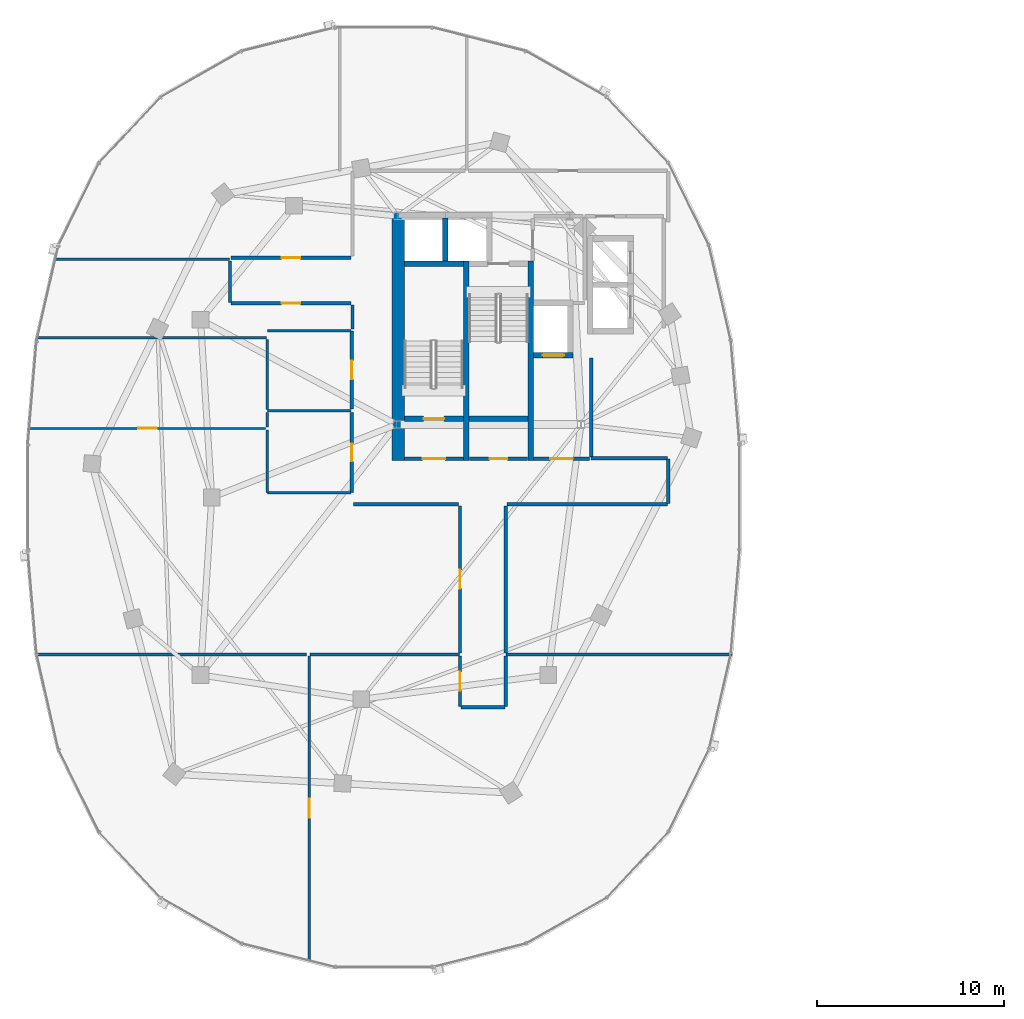
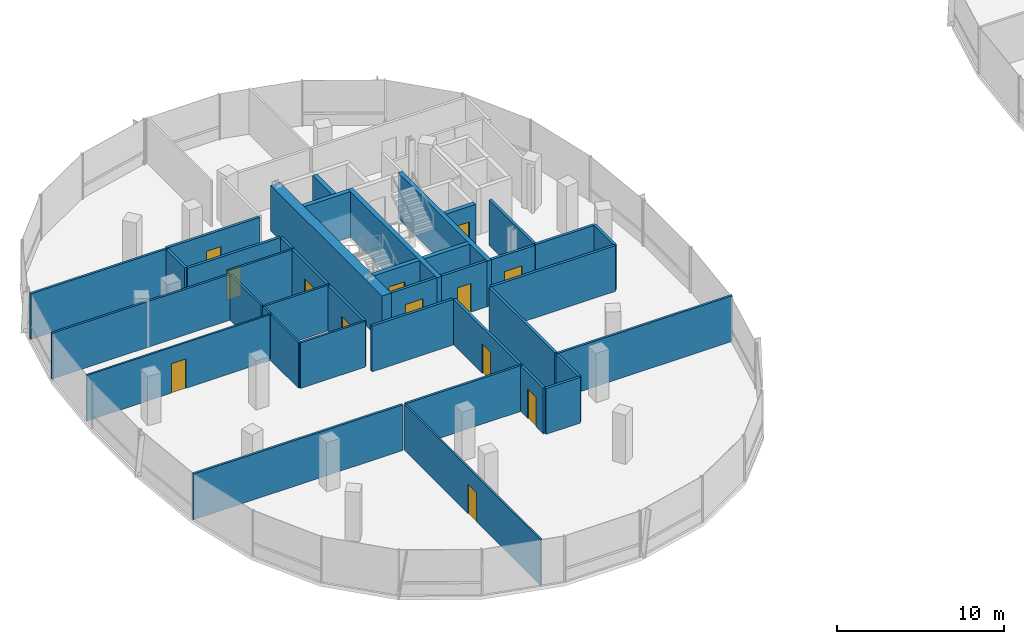
# One storey, part 15 of 25: 40 walls, 13 doors, 13 openings.
"""IFC4 building model written with IfcOpenShell, lengths in metres."""

from ifc_helpers import new_model, si_unit, direction, frame, frame_2d, origin, place, context, subcontext, project, spatial, rectangle, extrude, material, layer, layer_set, type_object, element, fill, save


model = new_model("IFC4")

# Units and contexts
model_context = context("Model", 3, precision=1e-05, world=origin(), true_north=direction((0.0, 1.0)))
body_context = subcontext(model_context, "Body", "Model", "MODEL_VIEW")
ifc_project = project(units=[si_unit("LENGTHUNIT", "METRE"), si_unit("AREAUNIT", "SQUARE_METRE"), si_unit("VOLUMEUNIT", "CUBIC_METRE"), si_unit("PLANEANGLEUNIT", "RADIAN"), si_unit("MASSUNIT", "GRAM", prefix="KILO"), si_unit("THERMODYNAMICTEMPERATUREUNIT", "KELVIN"), si_unit("POWERUNIT", "WATT")], contexts=[model_context])

# Site, building, storey
site_placement = place(None, origin())
site = spatial("IfcSite", under=ifc_project, at=site_placement, CompositionType="ELEMENT")
building_placement = place(site_placement, origin())
building = spatial("IfcBuilding", under=site, at=building_placement, Name="Cundina Bronze Exchange", CompositionType="ELEMENT")
storey_placement = place(building_placement, frame((0.0, 0.0, 209.800048828125)))
storey = spatial("IfcBuildingStorey", under=building, at=storey_placement, Name="L55", CompositionType="ELEMENT", Elevation=209.800048828125)

# Wall
ifc_material_1 = material(Name="Gypsum Fireboard Partition EI120")
ifc_layer_1 = layer(ifc_material_1, 0.179931640625, Name="Gypsum Fireboard Partition EI120")
ifc_layer_set_1 = layer_set([ifc_layer_1], Name="Gypsum Fireboard Partition EI120")
wall_type_1 = type_object("IfcWallType", Name="WL-COR-180", PredefinedType="PARTITIONING", material=ifc_layer_set_1)
wall_1_placement = place(storey_placement, frame((-20.889892578125, 2.14990234375, 0.0), z_axis=(0.0, 0.0, 1.0), x_axis=(0.0, 1.0, 0.0)))
element("IfcWall", 1, at=wall_1_placement, inside=storey, type_object=wall_type_1, Name="L55 W Firefighting Lobby Side Wall", PredefinedType="PARTITIONING", context=body_context, shape_type="SweptSolid", body=[
    extrude(rectangle(XDim=5.300048828125, YDim=0.179931640625, at=frame_2d((2.64990234375, 0.0))), origin(), (0.0, 0.0, 1.0), 3.33984375),
])

# Wall, opening, door
wall_2_placement = place(storey_placement, frame((-23.97998046875, 2.06005859375, 0.0), z_axis=(0.0, 0.0, 1.0), x_axis=(1.0, 0.0, 0.0)))
wall_2 = element("IfcWall", 2, at=wall_2_placement, inside=storey, type_object=wall_type_1, Name="L55 W Firefighting Lobby Exit Wall", PredefinedType="PARTITIONING", context=body_context, shape_type="SweptSolid", body=[
    extrude(rectangle(XDim=3.0, YDim=0.179931640625, at=frame_2d((1.5, 0.0))), origin(), (0.0, 0.0, 1.0), 3.33984375),
])
opening_1_placement = place(wall_2_placement, frame((0.89990234375, 0.0, 0.0)))
opening_1 = element("IfcOpeningElement", 3, at=opening_1_placement, cuts=wall_2, Name="Opening DF-01", PredefinedType="OPENING", context=body_context, shape_type="SweptSolid", body=[
    extrude(rectangle(XDim=1.199951171875, YDim=2.14990234375, at=frame_2d((0.60009765625, 1.074951171875))), frame((0.0, 0.099853515625, 0.0), z_axis=(0.0, -1.0, 0.0), x_axis=(1.0, 0.0, 0.0)), (0.0, 0.0, 1.0), 0.199951171875),
])
ifc_material_2 = material(Name="Steel ASTM A36 Painted", Category="steel")
door_type_1 = type_object("IfcDoorType", Name="DR-FFL-1200", OperationType="NOTDEFINED", PredefinedType="DOOR", material=ifc_material_2)
door_1_placement = place(opening_1_placement, origin())
door_1 = element("IfcDoor", 4, at=door_1_placement, inside=storey, type_object=door_type_1, Name="L55 W Firefighting Lobby Door", OperationType="SINGLE_SWING_RIGHT", OverallHeight=2.14990234375, OverallWidth=1.199951171875, PredefinedType="DOOR", context=body_context, shape_type="SweptSolid", body=[
    extrude(rectangle(XDim=1.199951171875, YDim=2.14990234375, at=frame_2d((0.60009765625, 1.074951171875))), frame((0.0, 0.02490234375, 0.0), z_axis=(0.0, -1.0, 0.0), x_axis=(1.0, 0.0, 0.0)), (0.0, 0.0, 1.0), 0.050048828125),
])
fill(opening_1, door_1)

wall_3_placement = place(storey_placement, frame((-30.89990234375, 2.06005859375, 0.0), z_axis=(0.0, 0.0, 1.0), x_axis=(1.0, 0.0, 0.0)))
wall_3 = element("IfcWall", 5, at=wall_3_placement, inside=storey, type_object=wall_type_1, Name="L55 W Stair Vestibule Exit Wall", PredefinedType="PARTITIONING", context=body_context, shape_type="SweptSolid", body=[
    extrude(rectangle(XDim=3.159912109375, YDim=0.179931640625, at=frame_2d((1.580078125, 0.0))), origin(), (0.0, 0.0, 1.0), 3.33984375),
])
opening_2_placement = place(wall_3_placement, frame((0.97998046875, 0.0, 0.0)))
opening_2 = element("IfcOpeningElement", 6, at=opening_2_placement, cuts=wall_3, Name="Opening DF-01", PredefinedType="OPENING", context=body_context, shape_type="SweptSolid", body=[
    extrude(rectangle(XDim=1.199951171875, YDim=2.14990234375, at=frame_2d((0.60009765625, 1.074951171875))), frame((0.0, 0.099853515625, 0.0), z_axis=(0.0, -1.0, 0.0), x_axis=(1.0, 0.0, 0.0)), (0.0, 0.0, 1.0), 0.199951171875),
])
door_2_placement = place(opening_2_placement, origin())
door_2 = element("IfcDoor", 7, at=door_2_placement, inside=storey, type_object=door_type_1, Name="L55 W Stair Vestibule Door", OperationType="SINGLE_SWING_LEFT", OverallHeight=2.14990234375, OverallWidth=1.199951171875, PredefinedType="DOOR", context=body_context, shape_type="SweptSolid", body=[
    extrude(rectangle(XDim=1.199951171875, YDim=2.14990234375, at=frame_2d((0.60009765625, 1.074951171875))), frame((0.0, 0.02490234375, 0.0), z_axis=(0.0, -1.0, 0.0), x_axis=(1.0, 0.0, 0.0)), (0.0, 0.0, 1.0), 0.050048828125),
])
fill(opening_2, door_2)

wall_4_placement = place(storey_placement, frame((-27.419921875, 2.070068359375, 0.0), z_axis=(0.0, 0.0, 1.0), x_axis=(1.0, 0.0, 0.0)))
wall_4 = element("IfcWall", 8, at=wall_4_placement, inside=storey, type_object=wall_type_1, Name="L55 Interior Partition 007", PredefinedType="PARTITIONING", context=body_context, shape_type="SweptSolid", body=[
    extrude(rectangle(XDim=3.119873046875, YDim=0.179931640625, at=frame_2d((1.56005859375, 0.0))), origin(), (0.0, 0.0, 1.0), 3.33984375),
])
opening_3_placement = place(wall_4_placement, frame((1.0849609375, 0.0, 0.0)))
opening_3 = element("IfcOpeningElement", 9, at=opening_3_placement, cuts=wall_4, Name="Opening DW-01", PredefinedType="OPENING", context=body_context, shape_type="SweptSolid", body=[
    extrude(rectangle(XDim=0.949951171875, YDim=2.10009765625, at=frame_2d((0.47509765625, 1.050048828125))), frame((0.0, 0.099853515625, 0.0), z_axis=(0.0, -1.0, 0.0), x_axis=(1.0, 0.0, 0.0)), (0.0, 0.0, 1.0), 0.199951171875),
])
ifc_material_3 = material(Name="Solid Andean Oak Timber Grade A", Category="wood")
door_type_2 = type_object("IfcDoorType", Name="DR-WC-950", OperationType="NOTDEFINED", PredefinedType="DOOR", material=ifc_material_3)
door_3_placement = place(opening_3_placement, origin())
door_3 = element("IfcDoor", 10, at=door_3_placement, inside=storey, type_object=door_type_2, Name="L55 Interior Door 007", OperationType="SINGLE_SWING_LEFT", OverallHeight=2.10009765625, OverallWidth=0.949951171875, PredefinedType="DOOR", context=body_context, shape_type="SweptSolid", body=[
    extrude(rectangle(XDim=0.949951171875, YDim=2.10009765625, at=frame_2d((0.47509765625, 1.050048828125))), frame((0.0, 0.02490234375, 0.0), z_axis=(0.0, -1.0, 0.0), x_axis=(1.0, 0.0, 0.0)), (0.0, 0.0, 1.0), 0.050048828125),
])
fill(opening_3, door_3)

wall_5_placement = place(storey_placement, frame((-33.719970703125, 0.27001953125, 0.0), z_axis=(0.0, 0.0, 1.0), x_axis=(0.0, 1.0, 0.0)))
wall_5 = element("IfcWall", 11, at=wall_5_placement, inside=storey, type_object=wall_type_1, Name="L55 Interior Partition 015", PredefinedType="PARTITIONING", context=body_context, shape_type="SweptSolid", body=[
    extrude(rectangle(XDim=4.260009765625, YDim=0.179931640625, at=frame_2d((2.1298828125, 0.0))), origin(), (0.0, 0.0, 1.0), 3.33984375),
])
opening_4_placement = place(wall_5_placement, frame((1.655029296875, 0.0, 0.0)))
opening_4 = element("IfcOpeningElement", 12, at=opening_4_placement, cuts=wall_5, Name="Opening DW-01", PredefinedType="OPENING", context=body_context, shape_type="SweptSolid", body=[
    extrude(rectangle(XDim=0.949951171875, YDim=2.10009765625, at=frame_2d((0.47509765625, 1.050048828125))), frame((0.0, 0.099853515625, 0.0), z_axis=(0.0, -1.0, 0.0), x_axis=(1.0, 0.0, 0.0)), (0.0, 0.0, 1.0), 0.199951171875),
])
door_4_placement = place(opening_4_placement, origin())
door_4 = element("IfcDoor", 13, at=door_4_placement, inside=storey, type_object=door_type_2, Name="L55 Interior Door 015", OperationType="SINGLE_SWING_LEFT", OverallHeight=2.10009765625, OverallWidth=0.949951171875, PredefinedType="DOOR", context=body_context, shape_type="SweptSolid", body=[
    extrude(rectangle(XDim=0.949951171875, YDim=2.10009765625, at=frame_2d((0.47509765625, 1.050048828125))), frame((0.0, 0.02490234375, 0.0), z_axis=(0.0, -1.0, 0.0), x_axis=(1.0, 0.0, 0.0)), (0.0, 0.0, 1.0), 0.050048828125),
])
fill(opening_4, door_4)

wall_6_placement = place(storey_placement, frame((-33.719970703125, 4.72998046875, 0.0), z_axis=(0.0, 0.0, 1.0), x_axis=(0.0, 1.0, 0.0)))
wall_6 = element("IfcWall", 14, at=wall_6_placement, inside=storey, type_object=wall_type_1, Name="L55 Interior Partition 016", PredefinedType="PARTITIONING", context=body_context, shape_type="SweptSolid", body=[
    extrude(rectangle(XDim=4.159912109375, YDim=0.179931640625, at=frame_2d((2.080078125, 0.0))), origin(), (0.0, 0.0, 1.0), 3.33984375),
])
opening_5_placement = place(wall_6_placement, frame((1.580078125, 0.0, 0.0)))
opening_5 = element("IfcOpeningElement", 15, at=opening_5_placement, cuts=wall_6, Name="Opening DO-01", PredefinedType="OPENING", context=body_context, shape_type="SweptSolid", body=[
    extrude(rectangle(XDim=1.0, YDim=2.14990234375, at=frame_2d((0.5, 1.074951171875))), frame((0.0, 0.099853515625, 0.0), z_axis=(0.0, -1.0, 0.0), x_axis=(1.0, 0.0, 0.0)), (0.0, 0.0, 1.0), 0.199951171875),
])
door_type_3 = type_object("IfcDoorType", Name="DR-OFF-1000", OperationType="NOTDEFINED", PredefinedType="DOOR", material=ifc_material_3)
door_5_placement = place(opening_5_placement, origin())
door_5 = element("IfcDoor", 16, at=door_5_placement, inside=storey, type_object=door_type_3, Name="L55 Interior Door 016", OperationType="SINGLE_SWING_LEFT", OverallHeight=2.14990234375, OverallWidth=1.0, PredefinedType="DOOR", context=body_context, shape_type="SweptSolid", body=[
    extrude(rectangle(XDim=1.0, YDim=2.14990234375, at=frame_2d((0.5, 1.074951171875))), frame((0.0, 0.02490234375, 0.0), z_axis=(0.0, -1.0, 0.0), x_axis=(1.0, 0.0, 0.0)), (0.0, 0.0, 1.0), 0.050048828125),
])
fill(opening_5, door_5)

wall_7_placement = place(storey_placement, frame((-27.919921875, -8.489990234375, 0.0), z_axis=(0.0, 0.0, 1.0), x_axis=(0.0, -1.0, 0.0)))
wall_7 = element("IfcWall", 17, at=wall_7_placement, inside=storey, type_object=wall_type_1, Name="L55 Interior Partition 024", PredefinedType="PARTITIONING", context=body_context, shape_type="SweptSolid", body=[
    extrude(rectangle(XDim=2.6884765625, YDim=0.179931640625, at=frame_2d((1.34423828125, 0.0))), origin(), (0.0, 0.0, 1.0), 3.33984375),
])
opening_6_placement = place(wall_7_placement, frame((0.84423828125, 0.0, 0.0)))
opening_6 = element("IfcOpeningElement", 18, at=opening_6_placement, cuts=wall_7, Name="Opening DO-01", PredefinedType="OPENING", context=body_context, shape_type="SweptSolid", body=[
    extrude(rectangle(XDim=1.0, YDim=2.14990234375, at=frame_2d((0.5, 1.074951171875))), frame((0.0, 0.099853515625, 0.0), z_axis=(0.0, -1.0, 0.0), x_axis=(1.0, 0.0, 0.0)), (0.0, 0.0, 1.0), 0.199951171875),
])
door_6_placement = place(opening_6_placement, origin())
door_6 = element("IfcDoor", 19, at=door_6_placement, inside=storey, type_object=door_type_3, Name="L55 Interior Door 024", OperationType="SINGLE_SWING_LEFT", OverallHeight=2.14990234375, OverallWidth=1.0, PredefinedType="DOOR", context=body_context, shape_type="SweptSolid", body=[
    extrude(rectangle(XDim=1.0, YDim=2.14990234375, at=frame_2d((0.5, 1.074951171875))), frame((0.0, 0.02490234375, 0.0), z_axis=(0.0, -1.0, 0.0), x_axis=(1.0, 0.0, 0.0)), (0.0, 0.0, 1.0), 0.050048828125),
])
fill(opening_6, door_6)

# Walls
wall_8_placement = place(storey_placement, frame((-25.47998046875, -11.178466796875, 0.0), z_axis=(0.0, 0.0, 1.0), x_axis=(0.0, 1.0, 0.0)))
element("IfcWall", 20, at=wall_8_placement, inside=storey, type_object=wall_type_1, Name="L55 Interior Partition 025", PredefinedType="PARTITIONING", context=body_context, shape_type="SweptSolid", body=[
    extrude(rectangle(XDim=2.6884765625, YDim=0.179931640625, at=frame_2d((1.34423828125, 0.0))), origin(), (0.0, 0.0, 1.0), 3.33984375),
])
wall_9_placement = place(storey_placement, frame((-27.87841796875, -11.219970703125, 0.0), z_axis=(0.0, 0.0, 1.0), x_axis=(1.0, 0.0, 0.0)))
element("IfcWall", 21, at=wall_9_placement, inside=storey, type_object=wall_type_1, Name="L55 Interior Partition 026", PredefinedType="PARTITIONING", context=body_context, shape_type="SweptSolid", body=[
    extrude(rectangle(XDim=2.35693359375, YDim=0.179931640625, at=frame_2d((1.178466796875, 0.0))), origin(), (0.0, 0.0, 1.0), 3.33984375),
])

# Wall, opening, door
wall_10_placement = place(storey_placement, frame((-27.919921875, -0.449951171875, 0.0), z_axis=(0.0, 0.0, 1.0), x_axis=(0.0, -1.0, 0.0)))
wall_10 = element("IfcWall", 22, at=wall_10_placement, inside=storey, type_object=wall_type_1, Name="L55 Interior Partition 027", PredefinedType="PARTITIONING", context=body_context, shape_type="SweptSolid", body=[
    extrude(rectangle(XDim=7.860107421875, YDim=0.179931640625, at=frame_2d((3.93017578125, 0.0))), origin(), (0.0, 0.0, 1.0), 3.33984375),
])
opening_7_placement = place(wall_10_placement, frame((3.429931640625, 0.0, 0.0)))
opening_7 = element("IfcOpeningElement", 23, at=opening_7_placement, cuts=wall_10, Name="Opening DO-01", PredefinedType="OPENING", context=body_context, shape_type="SweptSolid", body=[
    extrude(rectangle(XDim=1.0, YDim=2.14990234375, at=frame_2d((0.5, 1.074951171875))), frame((0.0, 0.099853515625, 0.0), z_axis=(0.0, -1.0, 0.0), x_axis=(1.0, 0.0, 0.0)), (0.0, 0.0, 1.0), 0.199951171875),
])
door_7_placement = place(opening_7_placement, origin())
door_7 = element("IfcDoor", 24, at=door_7_placement, inside=storey, type_object=door_type_3, Name="L55 Interior Door 027", OperationType="SINGLE_SWING_RIGHT", OverallHeight=2.14990234375, OverallWidth=1.0, PredefinedType="DOOR", context=body_context, shape_type="SweptSolid", body=[
    extrude(rectangle(XDim=1.0, YDim=2.14990234375, at=frame_2d((0.5, 1.074951171875))), frame((0.0, 0.02490234375, 0.0), z_axis=(0.0, -1.0, 0.0), x_axis=(1.0, 0.0, 0.0)), (0.0, 0.0, 1.0), 0.050048828125),
])
fill(opening_7, door_7)

# Walls
wall_11_placement = place(storey_placement, frame((-33.62841796875, -0.3701171875, 0.0), z_axis=(0.0, 0.0, 1.0), x_axis=(1.0, 0.0, 0.0)))
element("IfcWall", 25, at=wall_11_placement, inside=storey, type_object=wall_type_1, Name="L55 Interior Partition 028", PredefinedType="PARTITIONING", context=body_context, shape_type="SweptSolid", body=[
    extrude(rectangle(XDim=5.62841796875, YDim=0.179931640625, at=frame_2d((2.814208984375, 0.0))), origin(), (0.0, 0.0, 1.0), 3.33984375),
])
wall_12_placement = place(storey_placement, frame((-25.39990234375, -0.3701171875, 0.0), z_axis=(0.0, 0.0, 1.0), x_axis=(1.0, 0.0, 0.0)))
element("IfcWall", 26, at=wall_12_placement, inside=storey, type_object=wall_type_1, Name="L55 Interior Partition 030", PredefinedType="PARTITIONING", context=body_context, shape_type="SweptSolid", body=[
    extrude(rectangle(XDim=8.578369140625, YDim=0.179931640625, at=frame_2d((4.2890625, 0.0))), origin(), (0.0, 0.0, 1.0), 3.33984375),
])
wall_13_placement = place(storey_placement, frame((-25.47998046875, -8.31005859375, 0.0), z_axis=(0.0, 0.0, 1.0), x_axis=(0.0, 1.0, 0.0)))
element("IfcWall", 27, at=wall_13_placement, inside=storey, type_object=wall_type_1, Name="L55 Interior Partition 031", PredefinedType="PARTITIONING", context=body_context, shape_type="SweptSolid", body=[
    extrude(rectangle(XDim=7.860107421875, YDim=0.179931640625, at=frame_2d((3.93017578125, 0.0))), origin(), (0.0, 0.0, 1.0), 3.33984375),
])
wall_14_placement = place(storey_placement, frame((-16.821533203125, 2.10009765625, 0.0), z_axis=(0.0, 0.0, 1.0), x_axis=(-1.0, 0.0, 0.0)))
element("IfcWall", 28, at=wall_14_placement, inside=storey, type_object=wall_type_1, Name="L55 Interior Partition 032", PredefinedType="PARTITIONING", context=body_context, shape_type="SweptSolid", body=[
    extrude(rectangle(XDim=4.098388671875, YDim=0.179931640625, at=frame_2d((2.04931640625, 0.0))), origin(), (0.0, 0.0, 1.0), 3.33984375),
])
wall_15_placement = place(storey_placement, frame((-16.780029296875, -0.32861328125, 0.0), z_axis=(0.0, 0.0, 1.0), x_axis=(0.0, 1.0, 0.0)))
element("IfcWall", 29, at=wall_15_placement, inside=storey, type_object=wall_type_1, Name="L55 Interior Partition 034", PredefinedType="PARTITIONING", context=body_context, shape_type="SweptSolid", body=[
    extrude(rectangle(XDim=2.38720703125, YDim=0.179931640625, at=frame_2d((1.193603515625, 0.0))), origin(), (0.0, 0.0, 1.0), 3.33984375),
])

# Wall, opening, door
wall_16_placement = place(storey_placement, frame((-40.178466796875, 10.3798828125, 0.0), z_axis=(0.0, 0.0, 1.0), x_axis=(1.0, 0.0, 0.0)))
wall_16 = element("IfcWall", 30, at=wall_16_placement, inside=storey, type_object=wall_type_1, Name="L55 Interior Partition 035", PredefinedType="PARTITIONING", context=body_context, shape_type="SweptSolid", body=[
    extrude(rectangle(XDim=6.428466796875, YDim=0.179931640625, at=frame_2d((3.21435546875, 0.0))), origin(), (0.0, 0.0, 1.0), 3.33984375),
])
opening_8_placement = place(wall_16_placement, frame((2.714111328125, 0.0, 0.0)))
opening_8 = element("IfcOpeningElement", 31, at=opening_8_placement, cuts=wall_16, Name="Opening DO-01", PredefinedType="OPENING", context=body_context, shape_type="SweptSolid", body=[
    extrude(rectangle(XDim=1.0, YDim=2.14990234375, at=frame_2d((0.5, 1.074951171875))), frame((0.0, 0.099853515625, 0.0), z_axis=(0.0, -1.0, 0.0), x_axis=(1.0, 0.0, 0.0)), (0.0, 0.0, 1.0), 0.199951171875),
])
door_8_placement = place(opening_8_placement, origin())
door_8 = element("IfcDoor", 32, at=door_8_placement, inside=storey, type_object=door_type_3, Name="L55 Interior Door 035", OperationType="SINGLE_SWING_RIGHT", OverallHeight=2.14990234375, OverallWidth=1.0, PredefinedType="DOOR", context=body_context, shape_type="SweptSolid", body=[
    extrude(rectangle(XDim=1.0, YDim=2.14990234375, at=frame_2d((0.5, 1.074951171875))), frame((0.0, 0.02490234375, 0.0), z_axis=(0.0, -1.0, 0.0), x_axis=(1.0, 0.0, 0.0)), (0.0, 0.0, 1.0), 0.050048828125),
])
fill(opening_8, door_8)

# Walls
wall_17_placement = place(storey_placement, frame((-40.219970703125, 12.64990234375, 0.0), z_axis=(0.0, 0.0, 1.0), x_axis=(0.0, -1.0, 0.0)))
element("IfcWall", 33, at=wall_17_placement, inside=storey, type_object=wall_type_1, Name="L55 Interior Partition 036", PredefinedType="PARTITIONING", context=body_context, shape_type="SweptSolid", body=[
    extrude(rectangle(XDim=2.228515625, YDim=0.179931640625, at=frame_2d((1.1142578125, 0.0))), origin(), (0.0, 0.0, 1.0), 3.33984375),
])
wall_18_placement = place(storey_placement, frame((-33.669921875, 10.300048828125, 0.0), z_axis=(0.0, 0.0, 1.0), x_axis=(0.0, -1.0, 0.0)))
element("IfcWall", 34, at=wall_18_placement, inside=storey, type_object=wall_type_1, Name="L55 Interior Partition 037", PredefinedType="PARTITIONING", context=body_context, shape_type="SweptSolid", body=[
    extrude(rectangle(XDim=1.298583984375, YDim=0.179931640625, at=frame_2d((0.6494140625, 0.0))), origin(), (0.0, 0.0, 1.0), 3.33984375),
])

# Wall, opening, door
wall_19_placement = place(storey_placement, frame((-33.75, 12.820068359375, 0.0), z_axis=(0.0, 0.0, 1.0), x_axis=(-1.0, 0.0, 0.0)))
wall_19 = element("IfcWall", 35, at=wall_19_placement, inside=storey, type_object=wall_type_1, Name="L55 Interior Partition 038", PredefinedType="PARTITIONING", context=body_context, shape_type="SweptSolid", body=[
    extrude(rectangle(XDim=6.428466796875, YDim=0.179931640625, at=frame_2d((3.21435546875, 0.0))), origin(), (0.0, 0.0, 1.0), 3.33984375),
])
opening_9_placement = place(wall_19_placement, frame((2.714111328125, 0.0, 0.0)))
opening_9 = element("IfcOpeningElement", 36, at=opening_9_placement, cuts=wall_19, Name="Opening DO-01", PredefinedType="OPENING", context=body_context, shape_type="SweptSolid", body=[
    extrude(rectangle(XDim=1.0, YDim=2.14990234375, at=frame_2d((0.5, 1.074951171875))), frame((0.0, 0.099853515625, 0.0), z_axis=(0.0, -1.0, 0.0), x_axis=(1.0, 0.0, 0.0)), (0.0, 0.0, 1.0), 0.199951171875),
])
door_9_placement = place(opening_9_placement, origin())
door_9 = element("IfcDoor", 37, at=door_9_placement, inside=storey, type_object=door_type_3, Name="L55 Interior Door 038", OperationType="SINGLE_SWING_LEFT", OverallHeight=2.14990234375, OverallWidth=1.0, PredefinedType="DOOR", context=body_context, shape_type="SweptSolid", body=[
    extrude(rectangle(XDim=1.0, YDim=2.14990234375, at=frame_2d((0.5, 1.074951171875))), frame((0.0, 0.02490234375, 0.0), z_axis=(0.0, -1.0, 0.0), x_axis=(1.0, 0.0, 0.0)), (0.0, 0.0, 1.0), 0.050048828125),
])
fill(opening_9, door_9)

# Wall
ifc_material_4 = material(Name="Concrete C50/60", Category="concrete")
ifc_layer_2 = layer(ifc_material_4, 0.64990234375, Name="Concrete C50/60", Category="concrete")
ifc_layer_set_2 = layer_set([ifc_layer_2], Name="Concrete C50/60")
wall_type_2 = type_object("IfcWallType", Name="WL-CORE-650", PredefinedType="SHEAR", material=ifc_layer_set_2)
wall_20_placement = place(storey_placement, frame((-31.22509765625, 1.969970703125, 0.0), z_axis=(0.0, 0.0, 1.0), x_axis=(0.0, 1.0, 0.0)))
element("IfcWall", 38, at=wall_20_placement, inside=storey, type_object=wall_type_2, Name="L55 W Primary Core Shear Spine Wall", PredefinedType="SHEAR", context=body_context, shape_type="SweptSolid", body=[
    extrude(rectangle(XDim=13.330078125, YDim=0.64990234375, at=frame_2d((6.6650390625, 0.0))), origin(), (0.0, 0.0, 1.0), 3.33984375),
])

# Wall, opening, door
ifc_material_5 = material(Name="Gypsum Acoustic Partition EI60")
ifc_layer_3 = layer(ifc_material_5, 0.125, Name="Gypsum Acoustic Partition EI60")
ifc_layer_set_3 = layer_set([ifc_layer_3], Name="Gypsum Acoustic Partition EI60")
wall_type_3 = type_object("IfcWallType", Name="WL-OFF-125", PredefinedType="PARTITIONING", material=ifc_layer_set_3)
wall_21_placement = place(storey_placement, frame((-35.989990234375, -8.489990234375, 0.0), z_axis=(0.0, 0.0, 1.0), x_axis=(0.0, -1.0, 0.0)))
wall_21 = element("IfcWall", 39, at=wall_21_placement, inside=storey, type_object=wall_type_3, Name="L55 Interior Partition 041", PredefinedType="PARTITIONING", context=body_context, shape_type="SweptSolid", body=[
    extrude(rectangle(XDim=16.274658203125, YDim=0.125, at=frame_2d((8.13720703125, 0.0))), origin(), (0.0, 0.0, 1.0), 3.33984375),
])
opening_10_placement = place(wall_21_placement, frame((7.63720703125, 0.0, 0.0)))
opening_10 = element("IfcOpeningElement", 40, at=opening_10_placement, cuts=wall_21, Name="Opening DO-01", PredefinedType="OPENING", context=body_context, shape_type="SweptSolid", body=[
    extrude(rectangle(XDim=1.0, YDim=2.14990234375, at=frame_2d((0.5, 1.074951171875))), frame((0.0, 0.072509765625, 0.0), z_axis=(0.0, -1.0, 0.0), x_axis=(1.0, 0.0, 0.0)), (0.0, 0.0, 1.0), 0.14501953125),
])
door_10_placement = place(opening_10_placement, origin())
door_10 = element("IfcDoor", 41, at=door_10_placement, inside=storey, type_object=door_type_3, Name="L55 Interior Door 041", OperationType="SINGLE_SWING_LEFT", OverallHeight=2.14990234375, OverallWidth=1.0, PredefinedType="DOOR", context=body_context, shape_type="SweptSolid", body=[
    extrude(rectangle(XDim=1.0, YDim=2.14990234375, at=frame_2d((0.5, 1.074951171875))), frame((0.0, 0.02490234375, 0.0), z_axis=(0.0, -1.0, 0.0), x_axis=(1.0, 0.0, 0.0)), (0.0, 0.0, 1.0), 0.050048828125),
])
fill(opening_10, door_10)

wall_22_placement = place(storey_placement, frame((-38.320068359375, 3.68994140625, 0.0), z_axis=(0.0, 0.0, 1.0), x_axis=(-1.0, 0.0, 0.0)))
wall_22 = element("IfcWall", 42, at=wall_22_placement, inside=storey, type_object=wall_type_3, Name="L55 Interior Partition 042", PredefinedType="PARTITIONING", context=body_context, shape_type="SweptSolid", body=[
    extrude(rectangle(XDim=12.6474609375, YDim=0.125, at=frame_2d((6.32373046875, 0.0))), origin(), (0.0, 0.0, 1.0), 3.33984375),
])
opening_11_placement = place(wall_22_placement, frame((5.82373046875, 0.0, 0.0)))
opening_11 = element("IfcOpeningElement", 43, at=opening_11_placement, cuts=wall_22, Name="Opening DO-01", PredefinedType="OPENING", context=body_context, shape_type="SweptSolid", body=[
    extrude(rectangle(XDim=1.0, YDim=2.14990234375, at=frame_2d((0.5, 1.074951171875))), frame((0.0, 0.072509765625, 0.0), z_axis=(0.0, -1.0, 0.0), x_axis=(1.0, 0.0, 0.0)), (0.0, 0.0, 1.0), 0.14501953125),
])
door_11_placement = place(opening_11_placement, origin())
door_11 = element("IfcDoor", 44, at=door_11_placement, inside=storey, type_object=door_type_3, Name="L55 Interior Door 042", OperationType="SINGLE_SWING_RIGHT", OverallHeight=2.14990234375, OverallWidth=1.0, PredefinedType="DOOR", context=body_context, shape_type="SweptSolid", body=[
    extrude(rectangle(XDim=1.0, YDim=2.14990234375, at=frame_2d((0.5, 1.074951171875))), frame((0.0, 0.02490234375, 0.0), z_axis=(0.0, -1.0, 0.0), x_axis=(1.0, 0.0, 0.0)), (0.0, 0.0, 1.0), 0.050048828125),
])
fill(opening_11, door_11)

# Walls
ifc_layer_4 = layer(ifc_material_4, 0.300048828125, Name="Concrete C50/60", Category="concrete")
ifc_layer_set_4 = layer_set([ifc_layer_4], Name="Concrete C50/60")
wall_type_4 = type_object("IfcWallType", Name="WL-SHFT-300", PredefinedType="SHEAR", material=ifc_layer_set_4)
for number, where, z_axis, x_axis, name in (
    (45, (-27.590087890625, 1.969970703125, 0.0), (0.0, 0.0, 1.0), (0.0, 1.0, 0.0), "L55 W Stair Shaft Dividing Shear Wall"),
    (46, (-24.1298828125, 1.969970703125, 0.0), (0.0, 0.0, 1.0), (0.0, 1.0, 0.0), "L55 W Stair 2 East Shear Wall"),
):
    element("IfcWall", number, at=place(storey_placement, frame(where, z_axis=z_axis, x_axis=x_axis)), inside=storey, type_object=wall_type_4, Name=name, PredefinedType="SHEAR", context=body_context, shape_type="SweptSolid", body=[
        extrude(rectangle(XDim=10.679931640625, YDim=0.300048828125, at=frame_2d((5.33984375, 0.0))), origin(), (0.0, 0.0, 1.0), 3.33984375),
    ])

# Wall, opening, door
wall_23_placement = place(storey_placement, frame((-30.89990234375, 4.199951171875, 0.0), z_axis=(0.0, 0.0, 1.0), x_axis=(1.0, 0.0, 0.0)))
wall_23 = element("IfcWall", 47, at=wall_23_placement, inside=storey, type_object=wall_type_4, Name="L55 Stair W1 Landing Wall", PredefinedType="SHEAR", context=body_context, shape_type="SweptSolid", body=[
    extrude(rectangle(XDim=3.159912109375, YDim=0.300048828125, at=frame_2d((1.580078125, 0.0))), origin(), (0.0, 0.0, 1.0), 3.33984375),
])
opening_12_placement = place(wall_23_placement, frame((1.030029296875, 0.0, 0.0)))
opening_12 = element("IfcOpeningElement", 48, at=opening_12_placement, cuts=wall_23, Name="Opening DS-01", PredefinedType="OPENING", context=body_context, shape_type="SweptSolid", body=[
    extrude(rectangle(XDim=1.10009765625, YDim=2.14990234375, at=frame_2d((0.550048828125, 1.074951171875))), frame((0.0, 0.159912109375, 0.0), z_axis=(0.0, -1.0, 0.0), x_axis=(1.0, 0.0, 0.0)), (0.0, 0.0, 1.0), 0.320068359375),
])
door_type_4 = type_object("IfcDoorType", Name="DR-STR-1100", OperationType="NOTDEFINED", PredefinedType="DOOR", material=ifc_material_2)
door_12_placement = place(opening_12_placement, origin())
door_12 = element("IfcDoor", 49, at=door_12_placement, inside=storey, type_object=door_type_4, Name="L55 Smokeproof Stair W1 Door", OperationType="SINGLE_SWING_RIGHT", OverallHeight=2.14990234375, OverallWidth=1.10009765625, PredefinedType="DOOR", context=body_context, shape_type="SweptSolid", body=[
    extrude(rectangle(XDim=1.10009765625, YDim=2.14990234375, at=frame_2d((0.550048828125, 1.074951171875))), frame((0.0, 0.02490234375, 0.0), z_axis=(0.0, -1.0, 0.0), x_axis=(1.0, 0.0, 0.0)), (0.0, 0.0, 1.0), 0.050048828125),
])
fill(opening_12, door_12)

# Walls
for number, where, z_axis, x_axis, name in (
    (50, (-30.89990234375, 12.5, 0.0), (0.0, 0.0, 1.0), (1.0, 0.0, 0.0), "L55 Stair W1 Far Shaft Wall"),
    (51, (-27.43994140625, 4.199951171875, 0.0), (0.0, 0.0, 1.0), (1.0, 0.0, 0.0), "L55 Stair W2 Far Shaft Wall"),
):
    element("IfcWall", number, at=place(storey_placement, frame(where, z_axis=z_axis, x_axis=x_axis)), inside=storey, type_object=wall_type_4, Name=name, PredefinedType="SHEAR", context=body_context, shape_type="SweptSolid", body=[
        extrude(rectangle(XDim=3.159912109375, YDim=0.300048828125, at=frame_2d((1.580078125, 0.0))), origin(), (0.0, 0.0, 1.0), 3.33984375),
    ])

# Wall, opening, door
wall_24_placement = place(storey_placement, frame((-23.97998046875, 7.60009765625, 0.0), z_axis=(0.0, 0.0, 1.0), x_axis=(1.0, 0.0, 0.0)))
wall_24 = element("IfcWall", 52, at=wall_24_placement, inside=storey, type_object=wall_type_4, Name="L55 FFL-W Hoistway Front Wall", PredefinedType="SHEAR", context=body_context, shape_type="SweptSolid", body=[
    extrude(rectangle(XDim=2.10009765625, YDim=0.300048828125, at=frame_2d((1.050048828125, 0.0))), origin(), (0.0, 0.0, 1.0), 3.33984375),
])
opening_13_placement = place(wall_24_placement, frame((0.47509765625, 0.0, 0.0)))
opening_13 = element("IfcOpeningElement", 53, at=opening_13_placement, cuts=wall_24, Name="Opening LD-01", PredefinedType="OPENING", context=body_context, shape_type="SweptSolid", body=[
    extrude(rectangle(XDim=1.14990234375, YDim=2.199951171875, at=frame_2d((0.574951171875, 1.10009765625))), frame((0.0, 0.159912109375, 0.0), z_axis=(0.0, -1.0, 0.0), x_axis=(1.0, 0.0, 0.0)), (0.0, 0.0, 1.0), 0.320068359375),
])
door_type_5 = type_object("IfcDoorType", Name="DR-LND-1150", OperationType="NOTDEFINED", PredefinedType="TRAPDOOR", material=ifc_material_2)
door_13_placement = place(opening_13_placement, origin())
door_13 = element("IfcDoor", 54, at=door_13_placement, inside=storey, type_object=door_type_5, Name="L55 FFL-W Sliding Landing Door", OperationType="SLIDING_TO_LEFT", OverallHeight=2.199951171875, OverallWidth=1.14990234375, PredefinedType="TRAPDOOR", context=body_context, shape_type="SweptSolid", body=[
    extrude(rectangle(XDim=1.14990234375, YDim=2.199951171875, at=frame_2d((0.574951171875, 1.10009765625))), frame((0.0, 0.02490234375, 0.0), z_axis=(0.0, -1.0, 0.0), x_axis=(1.0, 0.0, 0.0)), (0.0, 0.0, 1.0), 0.050048828125),
])
fill(opening_13, door_13)

# Walls
wall_25_placement = place(storey_placement, frame((-28.699951171875, 12.64990234375, 0.0), z_axis=(0.0, 0.0, 1.0), x_axis=(0.0, 1.0, 0.0)))
element("IfcWall", 55, at=wall_25_placement, inside=storey, type_object=wall_type_4, Name="L55 PH-W1 Hoistway Divider Wall", PredefinedType="SHEAR", context=body_context, shape_type="SweptSolid", body=[
    extrude(rectangle(XDim=2.300048828125, YDim=0.300048828125, at=frame_2d((1.14990234375, 0.0))), origin(), (0.0, 0.0, 1.0), 3.33984375),
])
ifc_layer_5 = layer(ifc_material_5, 0.14990234375, Name="Gypsum Acoustic Partition EI60")
ifc_layer_set_5 = layer_set([ifc_layer_5], Name="Gypsum Acoustic Partition EI60")
wall_type_5 = type_object("IfcWallType", Name="WL-TEN-150", PredefinedType="PARTITIONING", material=ifc_layer_set_5)
wall_26_placement = place(storey_placement, frame((-50.629638671875, -8.39990234375, 0.0), z_axis=(0.0, 0.0, 1.0), x_axis=(1.0, 0.0, 0.0)))
element("IfcWall", 56, at=wall_26_placement, inside=storey, type_object=wall_type_5, Name="L55 Interior Partition 017", PredefinedType="PARTITIONING", context=body_context, shape_type="SweptSolid", body=[
    extrude(rectangle(XDim=14.504638671875, YDim=0.14990234375, at=frame_2d((7.25244140625, 0.0))), origin(), (0.0, 0.0, 1.0), 3.33984375),
])
wall_27_placement = place(storey_placement, frame((-35.955078125, -8.39990234375, 0.0), z_axis=(0.0, 0.0, 1.0), x_axis=(1.0, 0.0, 0.0)))
element("IfcWall", 57, at=wall_27_placement, inside=storey, type_object=wall_type_5, Name="L55 Interior Partition 018", PredefinedType="PARTITIONING", context=body_context, shape_type="SweptSolid", body=[
    extrude(rectangle(XDim=8.005126953125, YDim=0.14990234375, at=frame_2d((4.00244140625, 0.0))), origin(), (0.0, 0.0, 1.0), 3.33984375),
])
wall_28_placement = place(storey_placement, frame((-25.449951171875, -8.39990234375, 0.0), z_axis=(0.0, 0.0, 1.0), x_axis=(1.0, 0.0, 0.0)))
element("IfcWall", 58, at=wall_28_placement, inside=storey, type_object=wall_type_5, Name="L55 Interior Partition 019", PredefinedType="PARTITIONING", context=body_context, shape_type="SweptSolid", body=[
    extrude(rectangle(XDim=12.07958984375, YDim=0.14990234375, at=frame_2d((6.039794921875, 0.0))), origin(), (0.0, 0.0, 1.0), 3.33984375),
])
wall_29_placement = place(storey_placement, frame((-50.59765625, 8.5400390625, 0.0), z_axis=(0.0, 0.0, 1.0), x_axis=(1.0, 0.0, 0.0)))
element("IfcWall", 59, at=wall_29_placement, inside=storey, type_object=wall_type_5, Name="L55 Interior Partition 020", PredefinedType="PARTITIONING", context=body_context, shape_type="SweptSolid", body=[
    extrude(rectangle(XDim=12.32763671875, YDim=0.14990234375, at=frame_2d((6.163818359375, 0.0))), origin(), (0.0, 0.0, 1.0), 3.33984375),
])
wall_30_placement = place(storey_placement, frame((-49.635498046875, 12.739990234375, 0.0), z_axis=(0.0, 0.0, 1.0), x_axis=(1.0, 0.0, 0.0)))
element("IfcWall", 60, at=wall_30_placement, inside=storey, type_object=wall_type_5, Name="L55 Interior Partition 021", PredefinedType="PARTITIONING", context=body_context, shape_type="SweptSolid", body=[
    extrude(rectangle(XDim=9.385498046875, YDim=0.14990234375, at=frame_2d((4.69287109375, 0.0))), origin(), (0.0, 0.0, 1.0), 3.33984375),
])
ifc_material_6 = material(Name="Moisture-Resistant Masonry Block Grade M15", Category="masonry")
ifc_layer_6 = layer(ifc_material_6, 0.139892578125, Name="Moisture-Resistant Masonry Block Grade M15", Category="masonry")
ifc_layer_set_6 = layer_set([ifc_layer_6], Name="Moisture-Resistant Masonry Block Grade M15")
wall_type_6 = type_object("IfcWallType", Name="WL-WET-140", PredefinedType="PARTITIONING", material=ifc_layer_set_6)
wall_31_placement = place(storey_placement, frame((-38.239990234375, 0.27001953125, 0.0), z_axis=(0.0, 0.0, 1.0), x_axis=(0.0, 1.0, 0.0)))
element("IfcWall", 61, at=wall_31_placement, inside=storey, type_object=wall_type_6, Name="L55 Interior Partition 009", PredefinedType="PARTITIONING", context=body_context, shape_type="SweptSolid", body=[
    extrude(rectangle(XDim=3.3349609375, YDim=0.139892578125, at=frame_2d((1.66748046875, 0.0))), origin(), (0.0, 0.0, 1.0), 3.33984375),
])
wall_32_placement = place(storey_placement, frame((-38.239990234375, 3.77490234375, 0.0), z_axis=(0.0, 0.0, 1.0), x_axis=(0.0, 1.0, 0.0)))
element("IfcWall", 62, at=wall_32_placement, inside=storey, type_object=wall_type_6, Name="L55 Interior Partition 010", PredefinedType="PARTITIONING", context=body_context, shape_type="SweptSolid", body=[
    extrude(rectangle(XDim=0.77001953125, YDim=0.139892578125, at=frame_2d((0.385009765625, 0.0))), origin(), (0.0, 0.0, 1.0), 3.33984375),
])
wall_33_placement = place(storey_placement, frame((-38.239990234375, 4.715087890625, 0.0), z_axis=(0.0, 0.0, 1.0), x_axis=(0.0, 1.0, 0.0)))
element("IfcWall", 63, at=wall_33_placement, inside=storey, type_object=wall_type_6, Name="L55 Interior Partition 011", PredefinedType="PARTITIONING", context=body_context, shape_type="SweptSolid", body=[
    extrude(rectangle(XDim=3.739990234375, YDim=0.139892578125, at=frame_2d((1.8701171875, 0.0))), origin(), (0.0, 0.0, 1.0), 3.33984375),
])
for number, where, z_axis, x_axis, name in (
    (64, (-38.219970703125, 0.25, 0.0), (0.0, 0.0, 1.0), (1.0, 0.0, 0.0), "L55 Interior Partition 012"),
    (65, (-38.219970703125, 4.6298828125, 0.0), (0.0, 0.0, 1.0), (1.0, 0.0, 0.0), "L55 Interior Partition 013"),
    (66, (-38.219970703125, 8.909912109375, 0.0), (0.0, 0.0, 1.0), (1.0, 0.0, 0.0), "L55 Interior Partition 014"),
):
    element("IfcWall", number, at=place(storey_placement, frame(where, z_axis=z_axis, x_axis=x_axis)), inside=storey, type_object=wall_type_6, Name=name, PredefinedType="PARTITIONING", context=body_context, shape_type="SweptSolid", body=[
        extrude(rectangle(XDim=4.47998046875, YDim=0.139892578125, at=frame_2d((2.239990234375, 0.0))), origin(), (0.0, 0.0, 1.0), 3.33984375),
    ])

save(model, "model.ifc")
